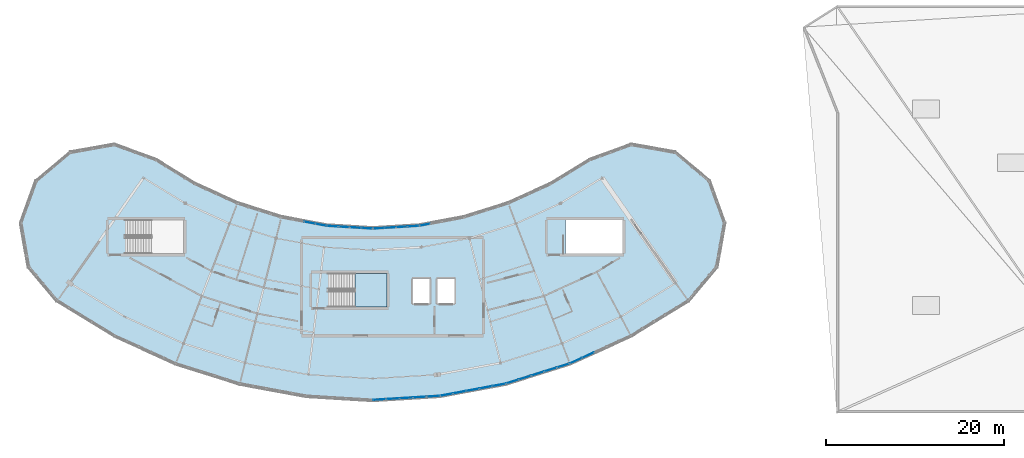
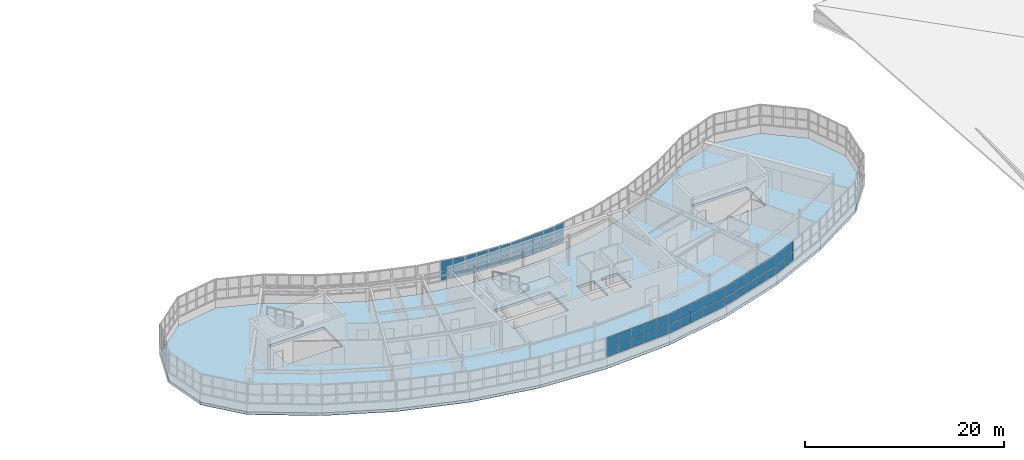
# One storey, part 48 of 79: 56 plates, 2 slabs, 9 elements without a shape of their own.
"""IFC4 building model written with IfcOpenShell, lengths in metres."""

from ifc_helpers import new_model, si_unit, direction, frame, origin, origin_2d, place, context, subcontext, project, spatial, polyline, rectangle, outline, extrude, material, layer, layer_set, type_object, element, aggregate, save


model = new_model("IFC4")

# Units and contexts
model_context = context("Model", 3, precision=1e-05, world=origin(), true_north=direction((0.0, 1.0)))
body_context = subcontext(model_context, "Body", "Model", "MODEL_VIEW")
ifc_project = project(units=[si_unit("LENGTHUNIT", "METRE"), si_unit("AREAUNIT", "SQUARE_METRE"), si_unit("VOLUMEUNIT", "CUBIC_METRE"), si_unit("PLANEANGLEUNIT", "RADIAN"), si_unit("MASSUNIT", "GRAM", prefix="KILO")], contexts=[model_context])

# Site, building, storey
site_placement = place(None, origin())
site = spatial("IfcSite", under=ifc_project, at=site_placement, CompositionType="ELEMENT")
building_placement = place(site_placement, origin())
building = spatial("IfcBuilding", under=site, at=building_placement, Name="Tarnwether General Hospital", CompositionType="ELEMENT")
storey_placement = place(building_placement, frame((0.0, 0.0, 18.300048828125)))
storey = spatial("IfcBuildingStorey", under=building, at=storey_placement, Name="L04", CompositionType="ELEMENT", Elevation=18.300048828125)

# Curtain wall, plates
ifc_material_1 = material(Name="Anodised aluminium", Category="aluminium")
ifc_layer_1 = layer(ifc_material_1, 0.159912109375)
ifc_layer_set_1 = layer_set([ifc_layer_1], Name="Anodised aluminium")
curtain_wall_type_1 = type_object("IfcCurtainWallType", Name="CW-09", PredefinedType="NOTDEFINED", material=ifc_layer_set_1)
curtain_wall_1_placement = place(storey_placement, origin())
curtain_wall_1 = element("IfcCurtainWall", 1, at=curtain_wall_1_placement, inside=storey, type_object=curtain_wall_type_1, Name="Curtain Wall CWG-L04-995_19-0191", PredefinedType="NOTDEFINED")
ifc_material_2 = material(Name="Double glazed low-E glass", Category="glass")
ifc_layer_2 = layer(ifc_material_2, 0.028076171875)
ifc_layer_set_2 = layer_set([ifc_layer_2], Name="Double glazed low-E glass")
plate_type_1 = type_object("IfcPlateType", Name="PT-CWP1", PredefinedType="CURTAIN_PANEL", material=ifc_layer_set_2)
plate_1_placement = place(storey_placement, frame((98.73876953125, 1.81201171875, 1.1201171875), z_axis=(0.0, 0.0, 1.0), x_axis=(-0.998135995608, -0.061028962567, 0.0)))
plate_1 = element("IfcPlate", 2, at=plate_1_placement, type_object=plate_type_1, Name="CW-09 panel 1.1", PredefinedType="CURTAIN_PANEL", context=body_context, shape_type="SweptSolid", body=[
    extrude(rectangle(XDim=1.399169921875, YDim=0.028076171875, at=origin_2d()), origin(), (0.0, 0.0, 1.0), 1.015380859375),
])
plate_2_placement = place(storey_placement, frame((98.73876953125, 1.81201171875, 2.20556640625), z_axis=(0.0, 0.0, 1.0), x_axis=(-0.998135995608, -0.061028962567, 0.0)))
plate_2 = element("IfcPlate", 3, at=plate_2_placement, type_object=plate_type_1, Name="CW-09 panel 1.2", PredefinedType="CURTAIN_PANEL", context=body_context, shape_type="SweptSolid", body=[
    extrude(rectangle(XDim=1.399169921875, YDim=0.028076171875, at=origin_2d()), origin(), (0.0, 0.0, 1.0), 1.264404296875),
])
plate_3_placement = place(storey_placement, frame((97.2548828125, 1.72119140625, 1.1201171875), z_axis=(0.0, 0.0, 1.0), x_axis=(-0.998135995608, -0.061028962567, 0.0)))
plate_3 = element("IfcPlate", 4, at=plate_3_placement, type_object=plate_type_1, Name="CW-09 panel 2.1", PredefinedType="CURTAIN_PANEL", context=body_context, shape_type="SweptSolid", body=[
    extrude(rectangle(XDim=1.43408203125, YDim=0.028076171875, at=origin_2d()), origin(), (0.0, 0.0, 1.0), 1.015380859375),
])
plate_4_placement = place(storey_placement, frame((97.2548828125, 1.72119140625, 2.20556640625), z_axis=(0.0, 0.0, 1.0), x_axis=(-0.998135995608, -0.061028962567, 0.0)))
plate_4 = element("IfcPlate", 5, at=plate_4_placement, type_object=plate_type_1, Name="CW-09 panel 2.2", PredefinedType="CURTAIN_PANEL", context=body_context, shape_type="SweptSolid", body=[
    extrude(rectangle(XDim=1.43408203125, YDim=0.028076171875, at=origin_2d()), origin(), (0.0, 0.0, 1.0), 1.264404296875),
])
plate_5_placement = place(storey_placement, frame((95.75341796875, 1.62939453125, 1.1201171875), z_axis=(0.0, 0.0, 1.0), x_axis=(-0.998135995608, -0.061028962567, 0.0)))
plate_5 = element("IfcPlate", 6, at=plate_5_placement, type_object=plate_type_1, Name="CW-09 panel 3.1", PredefinedType="CURTAIN_PANEL", context=body_context, shape_type="SweptSolid", body=[
    extrude(rectangle(XDim=1.43408203125, YDim=0.028076171875, at=origin_2d()), origin(), (0.0, 0.0, 1.0), 1.015380859375),
])
plate_6_placement = place(storey_placement, frame((95.75341796875, 1.62939453125, 2.20556640625), z_axis=(0.0, 0.0, 1.0), x_axis=(-0.998135995608, -0.061028962567, 0.0)))
plate_6 = element("IfcPlate", 7, at=plate_6_placement, type_object=plate_type_1, Name="CW-09 panel 3.2", PredefinedType="CURTAIN_PANEL", context=body_context, shape_type="SweptSolid", body=[
    extrude(rectangle(XDim=1.43408203125, YDim=0.028076171875, at=origin_2d()), origin(), (0.0, 0.0, 1.0), 1.264404296875),
])
plate_7_placement = place(storey_placement, frame((94.252197265625, 1.53759765625, 1.1201171875), z_axis=(0.0, 0.0, 1.0), x_axis=(-0.998135995608, -0.061028962567, 0.0)))
plate_7 = element("IfcPlate", 8, at=plate_7_placement, type_object=plate_type_1, Name="CW-09 panel 4.1", PredefinedType="CURTAIN_PANEL", context=body_context, shape_type="SweptSolid", body=[
    extrude(rectangle(XDim=1.43408203125, YDim=0.028076171875, at=origin_2d()), origin(), (0.0, 0.0, 1.0), 1.015380859375),
])
plate_8_placement = place(storey_placement, frame((94.252197265625, 1.53759765625, 2.20556640625), z_axis=(0.0, 0.0, 1.0), x_axis=(-0.998135995608, -0.061028962567, 0.0)))
plate_8 = element("IfcPlate", 9, at=plate_8_placement, type_object=plate_type_1, Name="CW-09 panel 4.2", PredefinedType="CURTAIN_PANEL", context=body_context, shape_type="SweptSolid", body=[
    extrude(rectangle(XDim=1.43408203125, YDim=0.028076171875, at=origin_2d()), origin(), (0.0, 0.0, 1.0), 1.264404296875),
])
plate_9_placement = place(storey_placement, frame((92.76806640625, 1.447021484375, 1.1201171875), z_axis=(0.0, 0.0, 1.0), x_axis=(-0.998135995608, -0.061028962567, 0.0)))
plate_9 = element("IfcPlate", 10, at=plate_9_placement, type_object=plate_type_1, Name="CW-09 panel 5.1", PredefinedType="CURTAIN_PANEL", context=body_context, shape_type="SweptSolid", body=[
    extrude(rectangle(XDim=1.399169921875, YDim=0.028076171875, at=origin_2d()), origin(), (0.0, 0.0, 1.0), 1.015380859375),
])
plate_10_placement = place(storey_placement, frame((92.76806640625, 1.447021484375, 2.20556640625), z_axis=(0.0, 0.0, 1.0), x_axis=(-0.998135995608, -0.061028962567, 0.0)))
plate_10 = element("IfcPlate", 11, at=plate_10_placement, type_object=plate_type_1, Name="CW-09 panel 5.2", PredefinedType="CURTAIN_PANEL", context=body_context, shape_type="SweptSolid", body=[
    extrude(rectangle(XDim=1.399169921875, YDim=0.028076171875, at=origin_2d()), origin(), (0.0, 0.0, 1.0), 1.264404296875),
])
aggregate(curtain_wall_1, [plate_1, plate_2, plate_3, plate_4, plate_5, plate_6, plate_7, plate_8, plate_9, plate_10])

curtain_wall_2_placement = place(storey_placement, origin())
curtain_wall_2 = element("IfcCurtainWall", 12, at=curtain_wall_2_placement, inside=storey, type_object=curtain_wall_type_1, Name="Curtain Wall CWG-L04-1141_55-0193", PredefinedType="NOTDEFINED")
plate_11_placement = place(storey_placement, frame((113.338623046875, 5.2587890625, 1.1298828125), z_axis=(0.0, 0.0, 1.0), x_axis=(-0.953741284032, -0.300628613299, 0.0)))
plate_11 = element("IfcPlate", 13, at=plate_11_placement, type_object=plate_type_1, Name="CW-09 panel 1.1", PredefinedType="CURTAIN_PANEL", context=body_context, shape_type="SweptSolid", body=[
    extrude(rectangle(XDim=1.38427734375, YDim=0.028076171875, at=origin_2d()), origin(), (0.0, 0.0, 1.0), 1.00048828125),
])
plate_12_placement = place(storey_placement, frame((113.338623046875, 5.2587890625, 2.21044921875), z_axis=(0.0, 0.0, 1.0), x_axis=(-0.953741284032, -0.300628613299, 0.0)))
plate_12 = element("IfcPlate", 14, at=plate_12_placement, type_object=plate_type_1, Name="CW-09 panel 1.2", PredefinedType="CURTAIN_PANEL", context=body_context, shape_type="SweptSolid", body=[
    extrude(rectangle(XDim=1.38427734375, YDim=0.028076171875, at=origin_2d()), origin(), (0.0, 0.0, 1.0), 1.24951171875),
])
plate_13_placement = place(storey_placement, frame((111.923095703125, 4.812744140625, 1.1298828125), z_axis=(0.0, 0.0, 1.0), x_axis=(-0.953741284032, -0.300628613299, 0.0)))
plate_13 = element("IfcPlate", 15, at=plate_13_placement, type_object=plate_type_1, Name="CW-09 panel 2.1", PredefinedType="CURTAIN_PANEL", context=body_context, shape_type="SweptSolid", body=[
    extrude(rectangle(XDim=1.424072265625, YDim=0.028076171875, at=origin_2d()), origin(), (0.0, 0.0, 1.0), 1.00048828125),
])
plate_14_placement = place(storey_placement, frame((111.923095703125, 4.812744140625, 2.21044921875), z_axis=(0.0, 0.0, 1.0), x_axis=(-0.953741284032, -0.300628613299, 0.0)))
plate_14 = element("IfcPlate", 16, at=plate_14_placement, type_object=plate_type_1, Name="CW-09 panel 2.2", PredefinedType="CURTAIN_PANEL", context=body_context, shape_type="SweptSolid", body=[
    extrude(rectangle(XDim=1.424072265625, YDim=0.028076171875, at=origin_2d()), origin(), (0.0, 0.0, 1.0), 1.24951171875),
])
plate_15_placement = place(storey_placement, frame((110.488525390625, 4.360595703125, 1.1298828125), z_axis=(0.0, 0.0, 1.0), x_axis=(-0.953741284032, -0.300628613299, 0.0)))
plate_15 = element("IfcPlate", 17, at=plate_15_placement, type_object=plate_type_1, Name="CW-09 panel 3.1", PredefinedType="CURTAIN_PANEL", context=body_context, shape_type="SweptSolid", body=[
    extrude(rectangle(XDim=1.424072265625, YDim=0.028076171875, at=origin_2d()), origin(), (0.0, 0.0, 1.0), 1.00048828125),
])
plate_16_placement = place(storey_placement, frame((110.488525390625, 4.360595703125, 2.21044921875), z_axis=(0.0, 0.0, 1.0), x_axis=(-0.953741284032, -0.300628613299, 0.0)))
plate_16 = element("IfcPlate", 18, at=plate_16_placement, type_object=plate_type_1, Name="CW-09 panel 3.2", PredefinedType="CURTAIN_PANEL", context=body_context, shape_type="SweptSolid", body=[
    extrude(rectangle(XDim=1.424072265625, YDim=0.028076171875, at=origin_2d()), origin(), (0.0, 0.0, 1.0), 1.24951171875),
])
plate_17_placement = place(storey_placement, frame((109.053955078125, 3.908203125, 1.1298828125), z_axis=(0.0, 0.0, 1.0), x_axis=(-0.953741284032, -0.300628613299, 0.0)))
plate_17 = element("IfcPlate", 19, at=plate_17_placement, type_object=plate_type_1, Name="CW-09 panel 4.1", PredefinedType="CURTAIN_PANEL", context=body_context, shape_type="SweptSolid", body=[
    extrude(rectangle(XDim=1.424072265625, YDim=0.028076171875, at=origin_2d()), origin(), (0.0, 0.0, 1.0), 1.00048828125),
])
plate_18_placement = place(storey_placement, frame((109.053955078125, 3.908203125, 2.21044921875), z_axis=(0.0, 0.0, 1.0), x_axis=(-0.953741284032, -0.300628613299, 0.0)))
plate_18 = element("IfcPlate", 20, at=plate_18_placement, type_object=plate_type_1, Name="CW-09 panel 4.2", PredefinedType="CURTAIN_PANEL", context=body_context, shape_type="SweptSolid", body=[
    extrude(rectangle(XDim=1.424072265625, YDim=0.028076171875, at=origin_2d()), origin(), (0.0, 0.0, 1.0), 1.24951171875),
])
plate_19_placement = place(storey_placement, frame((107.638427734375, 3.462158203125, 1.1298828125), z_axis=(0.0, 0.0, 1.0), x_axis=(-0.953741284032, -0.300628613299, 0.0)))
plate_19 = element("IfcPlate", 21, at=plate_19_placement, type_object=plate_type_1, Name="CW-09 panel 5.1", PredefinedType="CURTAIN_PANEL", context=body_context, shape_type="SweptSolid", body=[
    extrude(rectangle(XDim=1.38427734375, YDim=0.028076171875, at=origin_2d()), origin(), (0.0, 0.0, 1.0), 1.00048828125),
])
plate_20_placement = place(storey_placement, frame((107.638427734375, 3.462158203125, 2.21044921875), z_axis=(0.0, 0.0, 1.0), x_axis=(-0.953741284032, -0.300628613299, 0.0)))
plate_20 = element("IfcPlate", 22, at=plate_20_placement, type_object=plate_type_1, Name="CW-09 panel 5.2", PredefinedType="CURTAIN_PANEL", context=body_context, shape_type="SweptSolid", body=[
    extrude(rectangle(XDim=1.38427734375, YDim=0.028076171875, at=origin_2d()), origin(), (0.0, 0.0, 1.0), 1.24951171875),
])
aggregate(curtain_wall_2, [plate_11, plate_12, plate_13, plate_14, plate_15, plate_16, plate_17, plate_18, plate_19, plate_20])

curtain_wall_3_placement = place(storey_placement, origin())
curtain_wall_3 = element("IfcCurtainWall", 23, at=curtain_wall_3_placement, inside=storey, type_object=curtain_wall_type_1, Name="Curtain Wall CWG-L04-1209_86-0194", PredefinedType="NOTDEFINED")
plate_21_placement = place(storey_placement, frame((116.128173828125, 6.4267578125, 1.10986328125), z_axis=(0.0, 0.0, 1.0), x_axis=(-0.909960793886, -0.414694289316, 0.0)))
plate_21 = element("IfcPlate", 24, at=plate_21_placement, type_object=plate_type_1, Name="CW-09 panel 4.1", PredefinedType="CURTAIN_PANEL", context=body_context, shape_type="SweptSolid", body=[
    extrude(rectangle(XDim=1.4443359375, YDim=0.028076171875, at=origin_2d()), origin(), (0.0, 0.0, 1.0), 1.030517578125),
])
plate_22_placement = place(storey_placement, frame((116.128173828125, 6.4267578125, 2.2001953125), z_axis=(0.0, 0.0, 1.0), x_axis=(-0.909960793886, -0.414694289316, 0.0)))
plate_22 = element("IfcPlate", 25, at=plate_22_placement, type_object=plate_type_1, Name="CW-09 panel 4.2", PredefinedType="CURTAIN_PANEL", context=body_context, shape_type="SweptSolid", body=[
    extrude(rectangle(XDim=1.4443359375, YDim=0.028076171875, at=origin_2d()), origin(), (0.0, 0.0, 1.0), 1.279541015625),
])
plate_23_placement = place(storey_placement, frame((114.77294921875, 5.80908203125, 1.10986328125), z_axis=(0.0, 0.0, 1.0), x_axis=(-0.909960793886, -0.414694289316, 0.0)))
plate_23 = element("IfcPlate", 26, at=plate_23_placement, type_object=plate_type_1, Name="CW-09 panel 5.1", PredefinedType="CURTAIN_PANEL", context=body_context, shape_type="SweptSolid", body=[
    extrude(rectangle(XDim=1.414306640625, YDim=0.028076171875, at=origin_2d()), origin(), (0.0, 0.0, 1.0), 1.030517578125),
])
plate_24_placement = place(storey_placement, frame((114.77294921875, 5.80908203125, 2.2001953125), z_axis=(0.0, 0.0, 1.0), x_axis=(-0.909960793886, -0.414694289316, 0.0)))
plate_24 = element("IfcPlate", 27, at=plate_24_placement, type_object=plate_type_1, Name="CW-09 panel 5.2", PredefinedType="CURTAIN_PANEL", context=body_context, shape_type="SweptSolid", body=[
    extrude(rectangle(XDim=1.414306640625, YDim=0.028076171875, at=origin_2d()), origin(), (0.0, 0.0, 1.0), 1.279541015625),
])
aggregate(curtain_wall_3, [plate_21, plate_22, plate_23, plate_24])

ifc_material_3 = material(Name="Anodised aluminium", Category="aluminium")
ifc_layer_3 = layer(ifc_material_3, 0.159912109375)
ifc_layer_set_3 = layer_set([ifc_layer_3], Name="Anodised aluminium")
curtain_wall_type_2 = type_object("IfcCurtainWallType", Name="CW-03", PredefinedType="NOTDEFINED", material=ifc_layer_set_3)
curtain_wall_4_placement = place(storey_placement, origin())
curtain_wall_4 = element("IfcCurtainWall", 28, at=curtain_wall_4_placement, inside=storey, type_object=curtain_wall_type_2, Name="Curtain Wall CWG-L04-972_209-0205", PredefinedType="NOTDEFINED")
plate_25_placement = place(storey_placement, frame((97.822998046875, 21.03759765625, 1.1298828125), z_axis=(0.0, 0.0, 1.0), x_axis=(0.983267910924, 0.182165351666, 0.0)))
plate_25 = element("IfcPlate", 29, at=plate_25_placement, type_object=plate_type_1, Name="CW-03 panel 1.1", PredefinedType="CURTAIN_PANEL", context=body_context, shape_type="SweptSolid", body=[
    extrude(rectangle(XDim=1.174072265625, YDim=0.028076171875, at=origin_2d()), origin(), (0.0, 0.0, 1.0), 1.00048828125),
])
plate_26_placement = place(storey_placement, frame((97.822998046875, 21.03759765625, 2.21044921875), z_axis=(0.0, 0.0, 1.0), x_axis=(0.983267910924, 0.182165351666, 0.0)))
plate_26 = element("IfcPlate", 30, at=plate_26_placement, type_object=plate_type_1, Name="CW-03 panel 1.2", PredefinedType="CURTAIN_PANEL", context=body_context, shape_type="SweptSolid", body=[
    extrude(rectangle(XDim=1.174072265625, YDim=0.028076171875, at=origin_2d()), origin(), (0.0, 0.0, 1.0), 1.24951171875),
])
aggregate(curtain_wall_4, [plate_25, plate_26])

curtain_wall_5_placement = place(storey_placement, origin())
curtain_wall_5 = element("IfcCurtainWall", 31, at=curtain_wall_5_placement, inside=storey, type_object=curtain_wall_type_2, Name="Curtain Wall CWG-L04-920_206-0206", PredefinedType="NOTDEFINED")
plate_27_placement = place(storey_placement, frame((92.660888671875, 20.640380859375, 1.10986328125), z_axis=(0.0, 0.0, 1.0), x_axis=(0.998135119267, 0.06104329354, 0.0)))
plate_27 = element("IfcPlate", 32, at=plate_27_placement, type_object=plate_type_1, Name="CW-03 panel 1.1", PredefinedType="CURTAIN_PANEL", context=body_context, shape_type="SweptSolid", body=[
    extrude(rectangle(XDim=1.2041015625, YDim=0.028076171875, at=origin_2d()), origin(), (0.0, 0.0, 1.0), 1.030517578125),
])
plate_28_placement = place(storey_placement, frame((92.660888671875, 20.640380859375, 2.2001953125), z_axis=(0.0, 0.0, 1.0), x_axis=(0.998135119267, 0.06104329354, 0.0)))
plate_28 = element("IfcPlate", 33, at=plate_28_placement, type_object=plate_type_1, Name="CW-03 panel 1.2", PredefinedType="CURTAIN_PANEL", context=body_context, shape_type="SweptSolid", body=[
    extrude(rectangle(XDim=1.2041015625, YDim=0.028076171875, at=origin_2d()), origin(), (0.0, 0.0, 1.0), 1.279541015625),
])
plate_29_placement = place(storey_placement, frame((93.937744140625, 20.718505859375, 1.10986328125), z_axis=(0.0, 0.0, 1.0), x_axis=(0.998135119267, 0.06104329354, 0.0)))
plate_29 = element("IfcPlate", 34, at=plate_29_placement, type_object=plate_type_1, Name="CW-03 panel 2.1", PredefinedType="CURTAIN_PANEL", context=body_context, shape_type="SweptSolid", body=[
    extrude(rectangle(XDim=1.234130859375, YDim=0.028076171875, at=origin_2d()), origin(), (0.0, 0.0, 1.0), 1.030517578125),
])
plate_30_placement = place(storey_placement, frame((93.937744140625, 20.718505859375, 2.2001953125), z_axis=(0.0, 0.0, 1.0), x_axis=(0.998135119267, 0.06104329354, 0.0)))
plate_30 = element("IfcPlate", 35, at=plate_30_placement, type_object=plate_type_1, Name="CW-03 panel 2.2", PredefinedType="CURTAIN_PANEL", context=body_context, shape_type="SweptSolid", body=[
    extrude(rectangle(XDim=1.234130859375, YDim=0.028076171875, at=origin_2d()), origin(), (0.0, 0.0, 1.0), 1.279541015625),
])
plate_31_placement = place(storey_placement, frame((95.2294921875, 20.797607421875, 1.10986328125), z_axis=(0.0, 0.0, 1.0), x_axis=(0.998135119267, 0.06104329354, 0.0)))
plate_31 = element("IfcPlate", 36, at=plate_31_placement, type_object=plate_type_1, Name="CW-03 panel 3.1", PredefinedType="CURTAIN_PANEL", context=body_context, shape_type="SweptSolid", body=[
    extrude(rectangle(XDim=1.234130859375, YDim=0.028076171875, at=origin_2d()), origin(), (0.0, 0.0, 1.0), 1.030517578125),
])
plate_32_placement = place(storey_placement, frame((95.2294921875, 20.797607421875, 2.2001953125), z_axis=(0.0, 0.0, 1.0), x_axis=(0.998135119267, 0.06104329354, 0.0)))
plate_32 = element("IfcPlate", 37, at=plate_32_placement, type_object=plate_type_1, Name="CW-03 panel 3.2", PredefinedType="CURTAIN_PANEL", context=body_context, shape_type="SweptSolid", body=[
    extrude(rectangle(XDim=1.234130859375, YDim=0.028076171875, at=origin_2d()), origin(), (0.0, 0.0, 1.0), 1.279541015625),
])
plate_33_placement = place(storey_placement, frame((96.506103515625, 20.87548828125, 1.10986328125), z_axis=(0.0, 0.0, 1.0), x_axis=(0.998135119267, 0.06104329354, 0.0)))
plate_33 = element("IfcPlate", 38, at=plate_33_placement, type_object=plate_type_1, Name="CW-03 panel 4.1", PredefinedType="CURTAIN_PANEL", context=body_context, shape_type="SweptSolid", body=[
    extrude(rectangle(XDim=1.2041015625, YDim=0.028076171875, at=origin_2d()), origin(), (0.0, 0.0, 1.0), 1.030517578125),
])
plate_34_placement = place(storey_placement, frame((96.506103515625, 20.87548828125, 2.2001953125), z_axis=(0.0, 0.0, 1.0), x_axis=(0.998135119267, 0.06104329354, 0.0)))
plate_34 = element("IfcPlate", 39, at=plate_34_placement, type_object=plate_type_1, Name="CW-03 panel 4.2", PredefinedType="CURTAIN_PANEL", context=body_context, shape_type="SweptSolid", body=[
    extrude(rectangle(XDim=1.2041015625, YDim=0.028076171875, at=origin_2d()), origin(), (0.0, 0.0, 1.0), 1.279541015625),
])
aggregate(curtain_wall_5, [plate_27, plate_28, plate_29, plate_30, plate_31, plate_32, plate_33, plate_34])

curtain_wall_6_placement = place(storey_placement, origin())
curtain_wall_6 = element("IfcCurtainWall", 40, at=curtain_wall_6_placement, inside=storey, type_object=curtain_wall_type_2, Name="Curtain Wall CWG-L04-817_219-0208", PredefinedType="NOTDEFINED")
plate_35_placement = place(storey_placement, frame((84.92431640625, 21.26953125, 1.114990234375), z_axis=(0.0, 0.0, 1.0), x_axis=(0.983267910924, -0.182165351666, 0.0)))
plate_35 = element("IfcPlate", 41, at=plate_35_placement, type_object=plate_type_1, Name="CW-03 panel 3.1", PredefinedType="CURTAIN_PANEL", context=body_context, shape_type="SweptSolid", body=[
    extrude(rectangle(XDim=1.229248046875, YDim=0.028076171875, at=origin_2d()), origin(), (0.0, 0.0, 1.0), 1.02294921875),
])
plate_36_placement = place(storey_placement, frame((84.92431640625, 21.26953125, 2.202880859375), z_axis=(0.0, 0.0, 1.0), x_axis=(0.983267910924, -0.182165351666, 0.0)))
plate_36 = element("IfcPlate", 42, at=plate_36_placement, type_object=plate_type_1, Name="CW-03 panel 3.2", PredefinedType="CURTAIN_PANEL", context=body_context, shape_type="SweptSolid", body=[
    extrude(rectangle(XDim=1.229248046875, YDim=0.028076171875, at=origin_2d()), origin(), (0.0, 0.0, 1.0), 1.27197265625),
])
plate_37_placement = place(storey_placement, frame((86.1806640625, 21.036865234375, 1.114990234375), z_axis=(0.0, 0.0, 1.0), x_axis=(0.983267910924, -0.182165351666, 0.0)))
plate_37 = element("IfcPlate", 43, at=plate_37_placement, type_object=plate_type_1, Name="CW-03 panel 4.1", PredefinedType="CURTAIN_PANEL", context=body_context, shape_type="SweptSolid", body=[
    extrude(rectangle(XDim=1.196533203125, YDim=0.028076171875, at=origin_2d()), origin(), (0.0, 0.0, 1.0), 1.02294921875),
])
plate_38_placement = place(storey_placement, frame((86.1806640625, 21.036865234375, 2.202880859375), z_axis=(0.0, 0.0, 1.0), x_axis=(0.983267910924, -0.182165351666, 0.0)))
plate_38 = element("IfcPlate", 44, at=plate_38_placement, type_object=plate_type_1, Name="CW-03 panel 4.2", PredefinedType="CURTAIN_PANEL", context=body_context, shape_type="SweptSolid", body=[
    extrude(rectangle(XDim=1.196533203125, YDim=0.028076171875, at=origin_2d()), origin(), (0.0, 0.0, 1.0), 1.27197265625),
])
aggregate(curtain_wall_6, [plate_35, plate_36, plate_37, plate_38])

curtain_wall_7_placement = place(storey_placement, origin())
curtain_wall_7 = element("IfcCurtainWall", 45, at=curtain_wall_7_placement, inside=storey, type_object=curtain_wall_type_1, Name="Curtain Wall CWG-L04-1069_32-0192", PredefinedType="NOTDEFINED")
ifc_material_4 = material(Name="Double glazed low-E glass", Category="glass")
ifc_layer_4 = layer(ifc_material_4, 0.035888671875)
ifc_layer_set_4 = layer_set([ifc_layer_4], Name="Double glazed low-E glass")
plate_type_2 = type_object("IfcPlateType", Name="PT-CWP2", PredefinedType="CURTAIN_PANEL", material=ifc_layer_set_4)
plate_39_placement = place(storey_placement, frame((106.146484375, 3.08984375, 1.114990234375), z_axis=(0.0, 0.0, 1.0), x_axis=(-0.983244953132, -0.182289226614, 0.0)))
plate_39 = element("IfcPlate", 46, at=plate_39_placement, type_object=plate_type_2, Name="CW-09 panel 1.1", PredefinedType="CURTAIN_PANEL", context=body_context, shape_type="SweptSolid", body=[
    extrude(rectangle(XDim=1.40673828125, YDim=0.035888671875, at=origin_2d()), origin(), (0.0, 0.0, 1.0), 1.02294921875),
])
plate_40_placement = place(storey_placement, frame((106.146484375, 3.08984375, 2.202880859375), z_axis=(0.0, 0.0, 1.0), x_axis=(-0.983244953132, -0.182289226614, 0.0)))
plate_40 = element("IfcPlate", 47, at=plate_40_placement, type_object=plate_type_2, Name="CW-09 panel 1.2", PredefinedType="CURTAIN_PANEL", context=body_context, shape_type="SweptSolid", body=[
    extrude(rectangle(XDim=1.40673828125, YDim=0.035888671875, at=origin_2d()), origin(), (0.0, 0.0, 1.0), 1.27197265625),
])
plate_41_placement = place(storey_placement, frame((104.68359375, 2.818603515625, 1.114990234375), z_axis=(0.0, 0.0, 1.0), x_axis=(-0.983244953132, -0.182289226614, 0.0)))
plate_41 = element("IfcPlate", 48, at=plate_41_placement, type_object=plate_type_2, Name="CW-09 panel 2.1", PredefinedType="CURTAIN_PANEL", context=body_context, shape_type="SweptSolid", body=[
    extrude(rectangle(XDim=1.439208984375, YDim=0.035888671875, at=origin_2d()), origin(), (0.0, 0.0, 1.0), 1.02294921875),
])
plate_42_placement = place(storey_placement, frame((104.68359375, 2.818603515625, 2.202880859375), z_axis=(0.0, 0.0, 1.0), x_axis=(-0.983244953132, -0.182289226614, 0.0)))
plate_42 = element("IfcPlate", 49, at=plate_42_placement, type_object=plate_type_2, Name="CW-09 panel 2.2", PredefinedType="CURTAIN_PANEL", context=body_context, shape_type="SweptSolid", body=[
    extrude(rectangle(XDim=1.439208984375, YDim=0.035888671875, at=origin_2d()), origin(), (0.0, 0.0, 1.0), 1.27197265625),
])
plate_43_placement = place(storey_placement, frame((103.20458984375, 2.54443359375, 1.114990234375), z_axis=(0.0, 0.0, 1.0), x_axis=(-0.983244953132, -0.182289226614, 0.0)))
plate_43 = element("IfcPlate", 50, at=plate_43_placement, type_object=plate_type_2, Name="CW-09 panel 3.1", PredefinedType="CURTAIN_PANEL", context=body_context, shape_type="SweptSolid", body=[
    extrude(rectangle(XDim=1.439208984375, YDim=0.035888671875, at=origin_2d()), origin(), (0.0, 0.0, 1.0), 1.02294921875),
])
plate_44_placement = place(storey_placement, frame((103.20458984375, 2.54443359375, 2.202880859375), z_axis=(0.0, 0.0, 1.0), x_axis=(-0.983244953132, -0.182289226614, 0.0)))
plate_44 = element("IfcPlate", 51, at=plate_44_placement, type_object=plate_type_2, Name="CW-09 panel 3.2", PredefinedType="CURTAIN_PANEL", context=body_context, shape_type="SweptSolid", body=[
    extrude(rectangle(XDim=1.439208984375, YDim=0.035888671875, at=origin_2d()), origin(), (0.0, 0.0, 1.0), 1.27197265625),
])
plate_45_placement = place(storey_placement, frame((101.7255859375, 2.270263671875, 1.114990234375), z_axis=(0.0, 0.0, 1.0), x_axis=(-0.983244953132, -0.182289226614, 0.0)))
plate_45 = element("IfcPlate", 52, at=plate_45_placement, type_object=plate_type_2, Name="CW-09 panel 4.1", PredefinedType="CURTAIN_PANEL", context=body_context, shape_type="SweptSolid", body=[
    extrude(rectangle(XDim=1.439208984375, YDim=0.035888671875, at=origin_2d()), origin(), (0.0, 0.0, 1.0), 1.02294921875),
])
plate_46_placement = place(storey_placement, frame((101.7255859375, 2.270263671875, 2.202880859375), z_axis=(0.0, 0.0, 1.0), x_axis=(-0.983244953132, -0.182289226614, 0.0)))
plate_46 = element("IfcPlate", 53, at=plate_46_placement, type_object=plate_type_2, Name="CW-09 panel 4.2", PredefinedType="CURTAIN_PANEL", context=body_context, shape_type="SweptSolid", body=[
    extrude(rectangle(XDim=1.439208984375, YDim=0.035888671875, at=origin_2d()), origin(), (0.0, 0.0, 1.0), 1.27197265625),
])
plate_47_placement = place(storey_placement, frame((100.262451171875, 1.9990234375, 1.114990234375), z_axis=(0.0, 0.0, 1.0), x_axis=(-0.983244953132, -0.182289226614, 0.0)))
plate_47 = element("IfcPlate", 54, at=plate_47_placement, type_object=plate_type_2, Name="CW-09 panel 5.1", PredefinedType="CURTAIN_PANEL", context=body_context, shape_type="SweptSolid", body=[
    extrude(rectangle(XDim=1.40673828125, YDim=0.035888671875, at=origin_2d()), origin(), (0.0, 0.0, 1.0), 1.02294921875),
])
plate_48_placement = place(storey_placement, frame((100.262451171875, 1.9990234375, 2.202880859375), z_axis=(0.0, 0.0, 1.0), x_axis=(-0.983244953132, -0.182289226614, 0.0)))
plate_48 = element("IfcPlate", 55, at=plate_48_placement, type_object=plate_type_2, Name="CW-09 panel 5.2", PredefinedType="CURTAIN_PANEL", context=body_context, shape_type="SweptSolid", body=[
    extrude(rectangle(XDim=1.40673828125, YDim=0.035888671875, at=origin_2d()), origin(), (0.0, 0.0, 1.0), 1.27197265625),
])
aggregate(curtain_wall_7, [plate_39, plate_40, plate_41, plate_42, plate_43, plate_44, plate_45, plate_46, plate_47, plate_48])

curtain_wall_8_placement = place(storey_placement, origin())
curtain_wall_8 = element("IfcCurtainWall", 56, at=curtain_wall_8_placement, inside=storey, type_object=curtain_wall_type_2, Name="Curtain Wall CWG-L04-868_209-0207", PredefinedType="NOTDEFINED")
plate_49_placement = place(storey_placement, frame((87.496337890625, 20.87548828125, 1.1201171875), z_axis=(0.0, 0.0, 1.0), x_axis=(0.998135119267, -0.06104329354, 0.0)))
plate_49 = element("IfcPlate", 57, at=plate_49_placement, type_object=plate_type_2, Name="CW-03 panel 1.1", PredefinedType="CURTAIN_PANEL", context=body_context, shape_type="SweptSolid", body=[
    extrude(rectangle(XDim=1.189208984375, YDim=0.035888671875, at=origin_2d()), origin(), (0.0, 0.0, 1.0), 1.015380859375),
])
plate_50_placement = place(storey_placement, frame((87.496337890625, 20.87548828125, 2.20556640625), z_axis=(0.0, 0.0, 1.0), x_axis=(0.998135119267, -0.06104329354, 0.0)))
plate_50 = element("IfcPlate", 58, at=plate_50_placement, type_object=plate_type_2, Name="CW-03 panel 1.2", PredefinedType="CURTAIN_PANEL", context=body_context, shape_type="SweptSolid", body=[
    extrude(rectangle(XDim=1.189208984375, YDim=0.035888671875, at=origin_2d()), origin(), (0.0, 0.0, 1.0), 1.264404296875),
])
plate_51_placement = place(storey_placement, frame((88.7705078125, 20.797607421875, 1.1201171875), z_axis=(0.0, 0.0, 1.0), x_axis=(0.998135119267, -0.06104329354, 0.0)))
plate_51 = element("IfcPlate", 59, at=plate_51_placement, type_object=plate_type_2, Name="CW-03 panel 2.1", PredefinedType="CURTAIN_PANEL", context=body_context, shape_type="SweptSolid", body=[
    extrude(rectangle(XDim=1.22412109375, YDim=0.035888671875, at=origin_2d()), origin(), (0.0, 0.0, 1.0), 1.015380859375),
])
plate_52_placement = place(storey_placement, frame((88.7705078125, 20.797607421875, 2.20556640625), z_axis=(0.0, 0.0, 1.0), x_axis=(0.998135119267, -0.06104329354, 0.0)))
plate_52 = element("IfcPlate", 60, at=plate_52_placement, type_object=plate_type_2, Name="CW-03 panel 2.2", PredefinedType="CURTAIN_PANEL", context=body_context, shape_type="SweptSolid", body=[
    extrude(rectangle(XDim=1.22412109375, YDim=0.035888671875, at=origin_2d()), origin(), (0.0, 0.0, 1.0), 1.264404296875),
])
plate_53_placement = place(storey_placement, frame((90.062255859375, 20.718505859375, 1.1201171875), z_axis=(0.0, 0.0, 1.0), x_axis=(0.998135119267, -0.06104329354, 0.0)))
plate_53 = element("IfcPlate", 61, at=plate_53_placement, type_object=plate_type_2, Name="CW-03 panel 3.1", PredefinedType="CURTAIN_PANEL", context=body_context, shape_type="SweptSolid", body=[
    extrude(rectangle(XDim=1.22412109375, YDim=0.035888671875, at=origin_2d()), origin(), (0.0, 0.0, 1.0), 1.015380859375),
])
plate_54_placement = place(storey_placement, frame((90.062255859375, 20.718505859375, 2.20556640625), z_axis=(0.0, 0.0, 1.0), x_axis=(0.998135119267, -0.06104329354, 0.0)))
plate_54 = element("IfcPlate", 62, at=plate_54_placement, type_object=plate_type_2, Name="CW-03 panel 3.2", PredefinedType="CURTAIN_PANEL", context=body_context, shape_type="SweptSolid", body=[
    extrude(rectangle(XDim=1.22412109375, YDim=0.035888671875, at=origin_2d()), origin(), (0.0, 0.0, 1.0), 1.264404296875),
])
plate_55_placement = place(storey_placement, frame((91.336669921875, 20.640625, 1.1201171875), z_axis=(0.0, 0.0, 1.0), x_axis=(0.998135119267, -0.06104329354, 0.0)))
plate_55 = element("IfcPlate", 63, at=plate_55_placement, type_object=plate_type_2, Name="CW-03 panel 4.1", PredefinedType="CURTAIN_PANEL", context=body_context, shape_type="SweptSolid", body=[
    extrude(rectangle(XDim=1.189208984375, YDim=0.035888671875, at=origin_2d()), origin(), (0.0, 0.0, 1.0), 1.015380859375),
])
plate_56_placement = place(storey_placement, frame((91.336669921875, 20.640625, 2.20556640625), z_axis=(0.0, 0.0, 1.0), x_axis=(0.998135119267, -0.06104329354, 0.0)))
plate_56 = element("IfcPlate", 64, at=plate_56_placement, type_object=plate_type_2, Name="CW-03 panel 4.2", PredefinedType="CURTAIN_PANEL", context=body_context, shape_type="SweptSolid", body=[
    extrude(rectangle(XDim=1.189208984375, YDim=0.035888671875, at=origin_2d()), origin(), (0.0, 0.0, 1.0), 1.264404296875),
])
aggregate(curtain_wall_8, [plate_49, plate_50, plate_51, plate_52, plate_53, plate_54, plate_55, plate_56])

# Slab
ifc_material_5 = material(Name="Concrete 40 MPa", Category="concrete")
ifc_layer_5 = layer(ifc_material_5, 0.340087890625)
ifc_layer_set_5 = layer_set([ifc_layer_5], Name="Concrete 40 MPa")
slab_type_1 = type_object("IfcSlabType", Name="SL-FL180", PredefinedType="FLOOR", material=ifc_layer_set_5)
slab_1_placement = place(storey_placement, frame((0.0, 0.0, -0.340087890625)))
element("IfcSlab", 65, at=slab_1_placement, inside=storey, type_object=slab_type_1, Name="L04 South-East Surgical Ward Floor SL-L04-WSE", PredefinedType="FLOOR", context=body_context, shape_type="SweptSolid", body=[
    extrude(outline(polyline([(53.472900390625, 16.346923828125), (52.611083984375, 21.240966796875), (54.31005859375, 25.909912109375), (58.116943359375, 29.10498046875), (63.010986328125, 29.968017578125), (67.679931640625, 28.26806640625), (72.093994140625, 25.56298828125), (76.804931640625, 23.416015625), (81.742919921875, 21.85888671875), (86.8330078125, 20.916015625), (92.0, 20.60009765625), (97.1669921875, 20.916015625), (102.257080078125, 21.85888671875), (107.195068359375, 23.416015625), (111.906005859375, 25.56298828125), (116.320068359375, 28.26806640625), (120.989013671875, 29.968017578125), (125.883056640625, 29.10498046875), (129.68994140625, 25.909912109375), (131.388916015625, 21.240966796875), (130.527099609375, 16.346923828125), (127.33203125, 12.5400390625), (120.9189453125, 8.610107421875), (114.074951171875, 5.490966796875), (106.902099609375, 3.22998046875), (99.507080078125, 1.85888671875), (92.0, 1.39990234375), (84.492919921875, 1.85888671875), (77.097900390625, 3.22998046875), (69.925048828125, 5.490966796875), (63.0810546875, 8.610107421875), (56.66796875, 12.5400390625), (53.472900390625, 16.346923828125)]), holes=[polyline([(96.469970703125, 15.030029296875), (96.469970703125, 12.169921875), (98.429931640625, 12.169921875), (98.429931640625, 15.030029296875), (96.469970703125, 15.030029296875)]), polyline([(99.219970703125, 15.030029296875), (99.219970703125, 12.169921875), (101.179931640625, 12.169921875), (101.179931640625, 15.030029296875), (99.219970703125, 15.030029296875)]), polyline([(87.179931640625, 15.60009765625), (87.179931640625, 11.800048828125), (93.60009765625, 11.800048828125), (93.60009765625, 15.60009765625), (87.179931640625, 15.60009765625)]), polyline([(70.800048828125, 21.60009765625), (64.3798828125, 21.60009765625), (64.3798828125, 17.800048828125), (70.800048828125, 17.800048828125), (70.800048828125, 21.60009765625)]), polyline([(120.0, 21.60009765625), (113.580078125, 21.60009765625), (113.580078125, 17.800048828125), (120.0, 17.800048828125), (120.0, 21.60009765625)])]), origin(), (0.0, 0.0, 1.0), 0.340087890625),
])

# Stair, slab
ifc_material_6 = material(Name="Concrete 40 MPa", Category="concrete")
stair_type = type_object("IfcStairType", Name="ST-DL39B", PredefinedType="HALF_TURN_STAIR", material=ifc_material_6)
stair_placement = place(storey_placement, origin())
stair = element("IfcStair", 66, at=stair_placement, inside=storey, type_object=stair_type, Name="L04 Exit Stair ST-02", PredefinedType="HALF_TURN_STAIR")
ifc_material_7 = material(Name="Concrete 40 MPa", Category="concrete")
ifc_layer_6 = layer(ifc_material_7, 0.199951171875)
ifc_layer_set_6 = layer_set([ifc_layer_6], Name="Concrete 40 MPa")
slab_type_2 = type_object("IfcSlabType", Name="SL-LD200", PredefinedType="LANDING", material=ifc_layer_set_6)
slab_2_placement = place(storey_placement, frame((0.0, 0.0, 1.75)))
slab_2 = element("IfcSlab", 67, at=slab_2_placement, type_object=slab_type_2, Name="ST-02 landing 1", PredefinedType="LANDING", context=body_context, shape_type="SweptSolid", body=[
    extrude(outline(polyline([(90.0, 11.800048828125), (93.60009765625, 11.800048828125), (93.60009765625, 15.60009765625), (90.0, 15.60009765625), (90.0, 11.800048828125)])), origin(), (0.0, 0.0, 1.0), 0.199951171875),
])
aggregate(stair, [slab_2])

save(model, "model.ifc")
